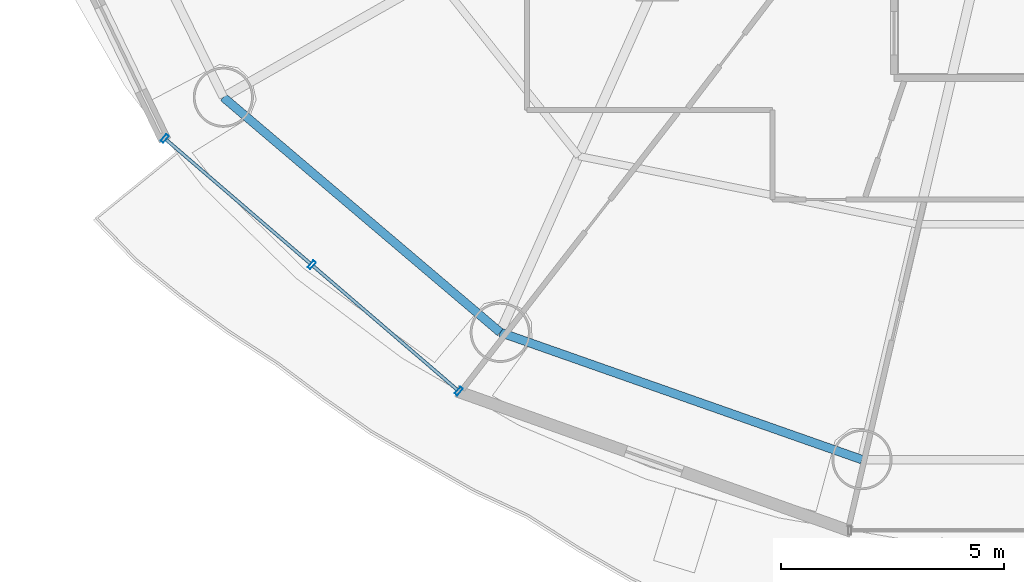
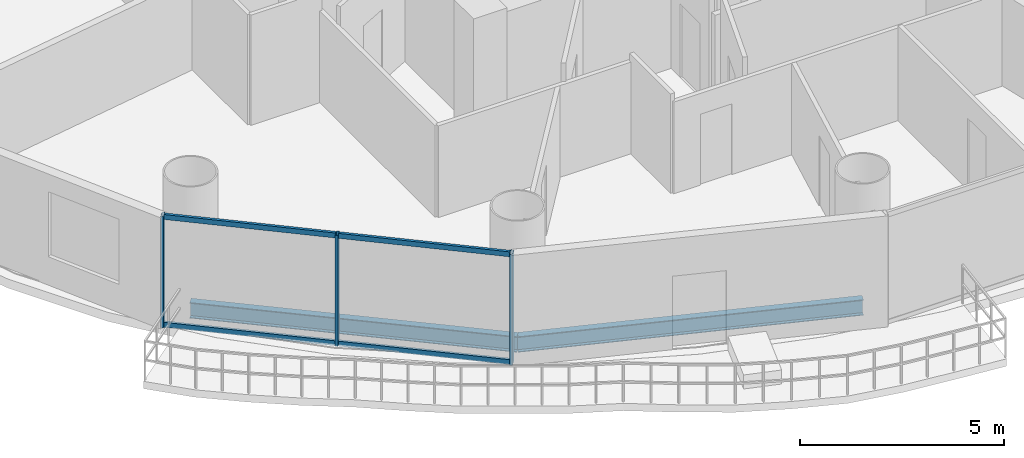
# One storey, part 2 of 26: 7 members, 2 beams, 1 element without a shape of its own.
"""IFC4 building model written with IfcOpenShell, lengths in metres."""

from ifc_helpers import new_model, si_unit, direction, frame, origin, origin_2d, place, context, subcontext, project, spatial, hollow_rectangle, i_section, extrude, source, transform, mapped, material, material_profile, profile_set, type_object, element, aggregate, save


model = new_model("IFC4")

# Units and contexts
model_context = context("Model", 3, precision=1e-05, world=origin(), true_north=direction((-0.2419218956, 0.970295726276)))
body_context = subcontext(model_context, "Body", "Model", "MODEL_VIEW")
ifc_project = project(units=[si_unit("LENGTHUNIT", "METRE"), si_unit("AREAUNIT", "SQUARE_METRE"), si_unit("VOLUMEUNIT", "CUBIC_METRE"), si_unit("PLANEANGLEUNIT", "RADIAN"), si_unit("MASSUNIT", "GRAM", prefix="KILO")], contexts=[model_context])

# Site, building, storey
site_placement = place(None, origin())
site = spatial("IfcSite", under=ifc_project, at=site_placement, CompositionType="ELEMENT")
building_placement = place(site_placement, origin())
building = spatial("IfcBuilding", under=site, at=building_placement, Name="Cobrevalo Terracotta Tower", CompositionType="ELEMENT")
storey_placement = place(building_placement, frame((0.0, 0.0, 142.60009765625)))
storey = spatial("IfcBuildingStorey", under=building, at=storey_placement, Name="L37", CompositionType="ELEMENT", Elevation=142.60009765625)

# Beams
ifc_material_1 = material(Name="Steel S355", Category="steel")
ifc_material_profile_1 = material_profile(ifc_material_1, i_section(OverallWidth=0.194091796875, OverallDepth=0.468994140625, WebThickness=0.011474609375, FlangeThickness=0.0205078125, at=origin_2d()), Name="W 460x106")
ifc_profile_set_1 = profile_set([ifc_material_profile_1], Name="Steel S355")
beam_type = type_object("IfcBeamType", Name="Structural Spandrel W 460x106 (Steel S355)", PredefinedType="SPANDREL", material=ifc_profile_set_1)
beam_1_placement = place(storey_placement, frame((19.250244140625, 16.160888671875, -0.504638671875), z_axis=(0.762240337798, -0.647294112003, 0.0), x_axis=(0.647294112003, 0.762240337798, 0.0)))
element("IfcBeam", 1, at=beam_1_placement, inside=storey, type_object=beam_type, Name="L37 perimeter ring spandrel 10", PredefinedType="SPANDREL", context=body_context, shape_type="SweptSolid", body=[
    extrude(i_section(OverallWidth=0.194091796875, OverallDepth=0.468994140625, WebThickness=0.011474609375, FlangeThickness=0.0205078125, at=origin_2d()), origin(), (0.0, 0.0, 1.0), 8.162353515625),
])
beam_2_placement = place(storey_placement, frame((25.471923828125, 10.87744140625, -0.504638671875), z_axis=(0.943341298492, -0.331824041565, 0.0), x_axis=(0.331824041565, 0.943341298492, 0.0)))
element("IfcBeam", 2, at=beam_2_placement, inside=storey, type_object=beam_type, Name="L37 perimeter ring spandrel 11", PredefinedType="SPANDREL", context=body_context, shape_type="SweptSolid", body=[
    extrude(i_section(OverallWidth=0.194091796875, OverallDepth=0.468994140625, WebThickness=0.011474609375, FlangeThickness=0.0205078125, at=origin_2d()), origin(), (0.0, 0.0, 1.0), 8.6171875),
])

# Curtain wall, members
ifc_material_2 = material(Name="Anodized aluminium", Category="aluminium")
curtain_wall_type = type_object("IfcCurtainWallType", Name="Mid-tower high-wind unitised curtain wall CW-U2", PredefinedType="NOTDEFINED", material=ifc_material_2)
curtain_wall_placement = place(storey_placement, origin())
curtain_wall = element("IfcCurtainWall", 3, at=curtain_wall_placement, inside=storey, type_object=curtain_wall_type, Name="L37 curtain wall CW-L37-S10", PredefinedType="NOTDEFINED")
ifc_material_profile_2 = material_profile(ifc_material_2, hollow_rectangle(XDim=0.074951171875, YDim=0.14990234375, WallThickness=0.00439453125, at=origin_2d()), Name="CWT 75x150")
ifc_profile_set_2 = profile_set([ifc_material_profile_2], Name="Anodized aluminium")
member_type_1 = type_object("IfcMemberType", Name="Tower unitised aluminium transom 75x150", PredefinedType="USERDEFINED", material=ifc_profile_set_2)
shared_shape_1 = source(origin(), body_context, "Body", "SweptSolid", [
    extrude(hollow_rectangle(XDim=0.074951171875, YDim=0.14990234375, WallThickness=0.00439453125, at=origin_2d()), origin(), (0.0, 0.0, 1.0), 4.276123046875),
])
member_1_placement = place(storey_placement, frame((17.964111328125, 15.208740234375, 0.0498046875), z_axis=(0.758417719247, -0.651768795764, 0.0), x_axis=(0.651768795764, 0.758417719247, 0.0)))
member_1 = element("IfcMember", 4, at=member_1_placement, type_object=member_type_1, Name="CW-L37-S10 transom B01-T1", ObjectType="TRANSOM", PredefinedType="USERDEFINED", context=body_context, shape_type="MappedRepresentation", body=[
    mapped(shared_shape_1, transform((0.0, 0.0, 0.0), scale=1.0)),
])
member_2_placement = place(storey_placement, frame((17.964111328125, 15.208740234375, 3.27978515625), z_axis=(0.758417719247, -0.651768795764, 0.0), x_axis=(0.651768795764, 0.758417719247, 0.0)))
member_2 = element("IfcMember", 5, at=member_2_placement, type_object=member_type_1, Name="CW-L37-S10 transom B01-T2", ObjectType="TRANSOM", PredefinedType="USERDEFINED", context=body_context, shape_type="MappedRepresentation", body=[
    mapped(shared_shape_1, transform((0.0, 0.0, 0.0), scale=1.0)),
])
member_3_placement = place(storey_placement, frame((21.26806640625, 12.36962890625, 0.0498046875), z_axis=(0.758417719247, -0.651768795764, 0.0), x_axis=(0.651768795764, 0.758417719247, 0.0)))
member_3 = element("IfcMember", 6, at=member_3_placement, type_object=member_type_1, Name="CW-L37-S10 transom B02-T1", ObjectType="TRANSOM", PredefinedType="USERDEFINED", context=body_context, shape_type="MappedRepresentation", body=[
    mapped(shared_shape_1, transform((0.0, 0.0, 0.0), scale=1.0)),
])
member_4_placement = place(storey_placement, frame((21.26806640625, 12.36962890625, 3.27978515625), z_axis=(0.758417719247, -0.651768795764, 0.0), x_axis=(0.651768795764, 0.758417719247, 0.0)))
member_4 = element("IfcMember", 7, at=member_4_placement, type_object=member_type_1, Name="CW-L37-S10 transom B02-T2", ObjectType="TRANSOM", PredefinedType="USERDEFINED", context=body_context, shape_type="MappedRepresentation", body=[
    mapped(shared_shape_1, transform((0.0, 0.0, 0.0), scale=1.0)),
])
ifc_material_profile_3 = material_profile(ifc_material_2, hollow_rectangle(XDim=0.074951171875, YDim=0.199951171875, WallThickness=0.0048828125, at=origin_2d()), Name="CWM 75x200")
ifc_profile_set_3 = profile_set([ifc_material_profile_3], Name="Anodized aluminium")
member_type_2 = type_object("IfcMemberType", Name="Lower/mid tower unitised mullion 75x200", PredefinedType="MULLION", material=ifc_profile_set_3)
shared_shape_2 = source(origin(), body_context, "Body", "SweptSolid", [
    extrude(hollow_rectangle(XDim=0.074951171875, YDim=0.199951171875, WallThickness=0.0048828125, at=origin_2d()), origin(), (0.0, 0.0, 1.0), 3.329833984375),
])
member_5_placement = place(storey_placement, frame((17.933837890625, 15.234619140625, 0.0), z_axis=(0.0, 0.0, 1.0), x_axis=(0.758441546142, -0.65174106905, 0.0)))
member_5 = element("IfcMember", 8, at=member_5_placement, type_object=member_type_2, Name="CW-L37-S10 vertical mullion 01", PredefinedType="MULLION", context=body_context, shape_type="MappedRepresentation", body=[
    mapped(shared_shape_2, transform((0.0, 0.0, 0.0), scale=1.0)),
])
member_6_placement = place(storey_placement, frame((21.237548828125, 12.3955078125, 0.0), z_axis=(0.0, 0.0, 1.0), x_axis=(0.758441546142, -0.65174106905, 0.0)))
member_6 = element("IfcMember", 9, at=member_6_placement, type_object=member_type_2, Name="CW-L37-S10 vertical mullion 02", PredefinedType="MULLION", context=body_context, shape_type="MappedRepresentation", body=[
    mapped(shared_shape_2, transform((0.0, 0.0, 0.0), scale=1.0)),
])
member_7_placement = place(storey_placement, frame((24.54150390625, 9.556396484375, 0.0), z_axis=(0.0, 0.0, 1.0), x_axis=(0.758441546142, -0.65174106905, 0.0)))
member_7 = element("IfcMember", 10, at=member_7_placement, type_object=member_type_2, Name="CW-L37-S10 vertical mullion 03", PredefinedType="MULLION", context=body_context, shape_type="MappedRepresentation", body=[
    mapped(shared_shape_2, transform((0.0, 0.0, 0.0), scale=1.0)),
])
aggregate(curtain_wall, [member_5, member_6, member_7, member_1, member_2, member_3, member_4])

save(model, "model.ifc")
